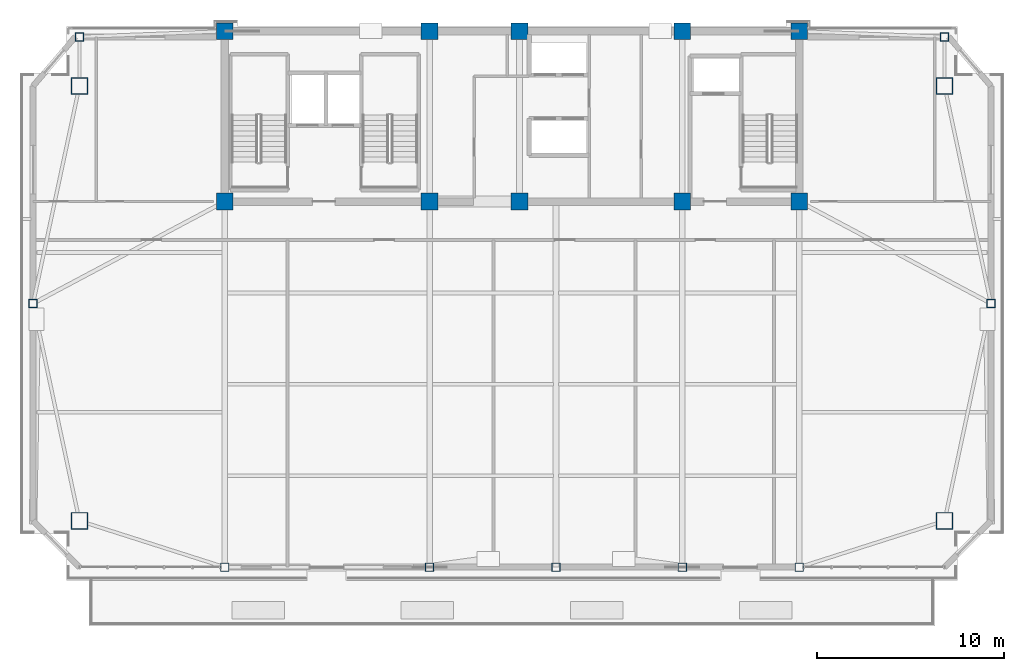
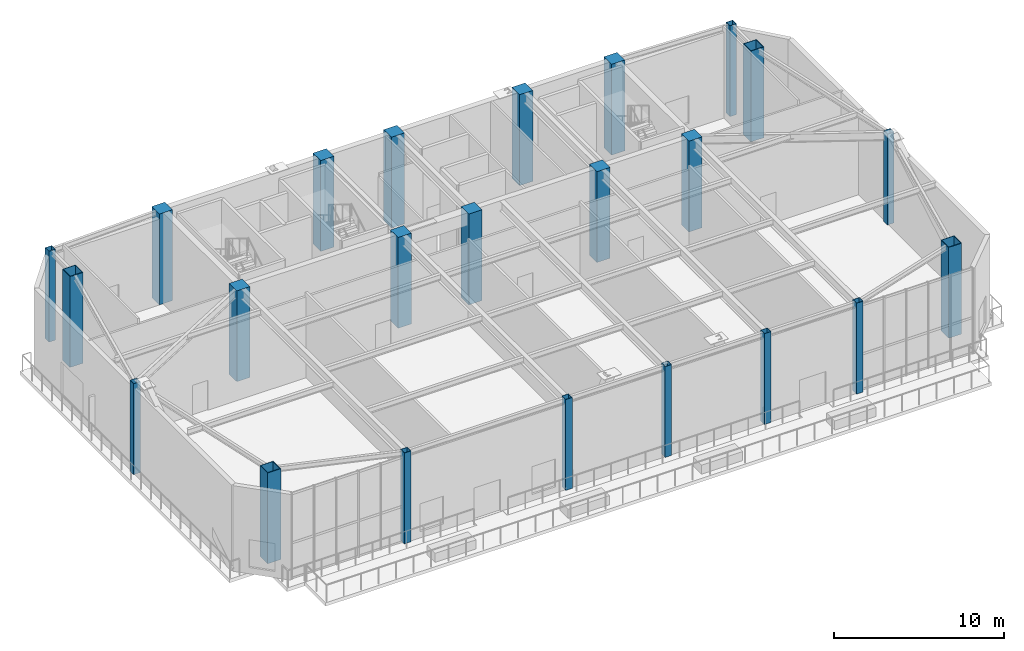
# One storey, part 1 of 15: 23 columns.
"""IFC4 building model written with IfcOpenShell, lengths in metres."""

from ifc_helpers import new_model, si_unit, direction, frame, origin, origin_2d, place, context, subcontext, project, spatial, rectangle, hollow_rectangle, extrude, source, transform, mapped, material, material_profile, profile_set, type_object, element, save


model = new_model("IFC4")

# Units and contexts
model_context = context("Model", 3, precision=1e-05, world=origin(), true_north=direction((0.0, 1.0)))
body_context = subcontext(model_context, "Body", "Model", "MODEL_VIEW")
ifc_project = project(units=[si_unit("LENGTHUNIT", "METRE"), si_unit("AREAUNIT", "SQUARE_METRE"), si_unit("VOLUMEUNIT", "CUBIC_METRE"), si_unit("PLANEANGLEUNIT", "RADIAN"), si_unit("MASSUNIT", "GRAM", prefix="KILO")], contexts=[model_context])

# Site, building, storey
site_placement = place(None, origin())
site = spatial("IfcSite", under=ifc_project, at=site_placement, CompositionType="ELEMENT")
building_placement = place(site_placement, origin())
building = spatial("IfcBuilding", under=site, at=building_placement, Name="Giltprow Tower", CompositionType="ELEMENT")
storey_placement = place(building_placement, frame((0.0, 0.0, 279.10009765625)))
storey = spatial("IfcBuildingStorey", under=building, at=storey_placement, Name="L72", CompositionType="ELEMENT", Elevation=279.10009765625)

# Columns
ifc_material_1 = material(Name="Concrete C45", Category="concrete")
ifc_material_profile_1 = material_profile(ifc_material_1, rectangle(XDim=0.89990234375, YDim=0.89990234375, at=origin_2d()), Name="RC 900x900")
ifc_profile_set_1 = profile_set([ifc_material_profile_1], Name="Concrete C45")
column_type_1 = type_object("IfcColumnType", Name="PIL-RC-900-C45", PredefinedType="PILASTER", material=ifc_profile_set_1)
shared_shape_1 = source(origin(), body_context, "Body", "SweptSolid", [
    extrude(rectangle(XDim=0.89990234375, YDim=0.89990234375, at=origin_2d()), origin(), (0.0, 0.0, 1.0), 6.52001953125),
])
for number, where, z_axis, x_axis, name in (
    (1, (19.85009765625, 37.449951171875, 0.0), (0.0, 0.0, 1.0), (1.0, 0.0, 0.0), "L72 Core Boundary Pilaster 1-1"),
    (2, (19.85009765625, 46.550048828125, 0.0), (0.0, 0.0, 1.0), (1.0, 0.0, 0.0), "L72 Core Boundary Pilaster 1-2"),
    (3, (30.800048828125, 37.449951171875, 0.0), (0.0, 0.0, 1.0), (1.0, 0.0, 0.0), "L72 Core Boundary Pilaster 2-1"),
    (4, (30.800048828125, 46.550048828125, 0.0), (0.0, 0.0, 1.0), (1.0, 0.0, 0.0), "L72 Core Boundary Pilaster 2-2"),
    (5, (35.60009765625, 37.449951171875, 0.0), (0.0, 0.0, 1.0), (1.0, 0.0, 0.0), "L72 Core Boundary Pilaster 3-1"),
    (6, (35.60009765625, 46.550048828125, 0.0), (0.0, 0.0, 1.0), (1.0, 0.0, 0.0), "L72 Core Boundary Pilaster 3-2"),
    (7, (44.300048828125, 37.449951171875, 0.0), (0.0, 0.0, 1.0), (1.0, 0.0, 0.0), "L72 Core Boundary Pilaster 4-1"),
    (8, (44.300048828125, 46.550048828125, 0.0), (0.0, 0.0, 1.0), (1.0, 0.0, 0.0), "L72 Core Boundary Pilaster 4-2"),
    (9, (50.550048828125, 37.449951171875, 0.0), (0.0, 0.0, 1.0), (1.0, 0.0, 0.0), "L72 Core Boundary Pilaster 5-1"),
    (10, (50.550048828125, 46.550048828125, 0.0), (0.0, 0.0, 1.0), (1.0, 0.0, 0.0), "L72 Core Boundary Pilaster 5-2"),
):
    element("IfcColumn", number, at=place(storey_placement, frame(where, z_axis=z_axis, x_axis=x_axis)), inside=storey, type_object=column_type_1, Name=name, PredefinedType="PILASTER", context=body_context, shape_type="MappedRepresentation", body=[
        mapped(shared_shape_1, transform((0.0, 0.0, 0.0), x_axis=(1.0, 0.0, 0.0), y_axis=(0.0, 1.0, 0.0), z_axis=(0.0, 0.0, 1.0), scale=1.0)),
    ])
ifc_material_2 = material(Name="Structural steel Q420GJC", Category="steel")
ifc_material_profile_2 = material_profile(ifc_material_2, hollow_rectangle(XDim=0.89990234375, YDim=0.89990234375, WallThickness=0.0400390625, at=origin_2d()), Name="BOX 900x900x40")
ifc_profile_set_2 = profile_set([ifc_material_profile_2], Name="Structural steel Q420GJC")
column_type_2 = type_object("IfcColumnType", Name="COL-BOX-900x900x40", PredefinedType="COLUMN", material=ifc_profile_set_2)
shared_shape_2 = source(origin(), body_context, "Body", "SweptSolid", [
    extrude(hollow_rectangle(XDim=0.89990234375, YDim=0.89990234375, WallThickness=0.0400390625, at=origin_2d()), origin(), (0.0, 0.0, 1.0), 6.52001953125),
])
for number, where, z_axis, x_axis, name in (
    (11, (12.0859375, 20.385009765625, 0.0), (0.0, 0.0, 1.0), (1.0, 0.0, 0.0), "L72 Mega-Column MC_SW"),
    (12, (58.31396484375, 20.385009765625, 0.0), (0.0, 0.0, 1.0), (1.0, 0.0, 0.0), "L72 Mega-Column MC_SE"),
    (13, (12.0859375, 43.6220703125, 0.0), (0.0, 0.0, 1.0), (1.0, 0.0, 0.0), "L72 Mega-Column MC_NW"),
    (14, (58.31396484375, 43.6220703125, 0.0), (0.0, 0.0, 1.0), (1.0, 0.0, 0.0), "L72 Mega-Column MC_NE"),
):
    element("IfcColumn", number, at=place(storey_placement, frame(where, z_axis=z_axis, x_axis=x_axis)), inside=storey, type_object=column_type_2, Name=name, PredefinedType="COLUMN", context=body_context, shape_type="MappedRepresentation", body=[
        mapped(shared_shape_2, transform((0.0, 0.0, 0.0), x_axis=(1.0, 0.0, 0.0), y_axis=(0.0, 1.0, 0.0), z_axis=(0.0, 0.0, 1.0), scale=1.0)),
    ])
ifc_material_3 = material(Name="Structural steel Q355B", Category="steel")
ifc_material_profile_3 = material_profile(ifc_material_3, hollow_rectangle(XDim=0.449951171875, YDim=0.449951171875, WallThickness=0.02197265625, at=origin_2d()), Name="BOX 450x450x22")
ifc_profile_set_3 = profile_set([ifc_material_profile_3], Name="Structural steel Q355B")
column_type_3 = type_object("IfcColumnType", Name="COL-BOX-450x450x22", PredefinedType="COLUMN", material=ifc_profile_set_3)
shared_shape_3 = source(origin(), body_context, "Body", "SweptSolid", [
    extrude(hollow_rectangle(XDim=0.449951171875, YDim=0.449951171875, WallThickness=0.02197265625, at=origin_2d()), origin(), (0.0, 0.0, 1.0), 6.52001953125),
])
for number, where, z_axis, x_axis, name in (
    (15, (19.85009765625, 17.907958984375, 0.0), (0.0, 0.0, 1.0), (1.0, 0.0, 0.0), "L72 Perimeter Column S1"),
    (16, (30.800048828125, 17.907958984375, 0.0), (0.0, 0.0, 1.0), (1.0, 0.0, 0.0), "L72 Perimeter Column S2"),
    (17, (37.550048828125, 17.907958984375, 0.0), (0.0, 0.0, 1.0), (1.0, 0.0, 0.0), "L72 Perimeter Column S_MID"),
    (18, (44.300048828125, 17.907958984375, 0.0), (0.0, 0.0, 1.0), (1.0, 0.0, 0.0), "L72 Perimeter Column S3"),
    (19, (50.550048828125, 17.907958984375, 0.0), (0.0, 0.0, 1.0), (1.0, 0.0, 0.0), "L72 Perimeter Column S4"),
    (20, (9.60888671875, 32.00390625, 0.0), (0.0, 0.0, 1.0), (1.0, 0.0, 0.0), "L72 Perimeter Column W_MID"),
    (21, (60.791015625, 32.00390625, 0.0), (0.0, 0.0, 1.0), (1.0, 0.0, 0.0), "L72 Perimeter Column E_MID"),
    (22, (12.0859375, 46.25, 0.0), (0.0, 0.0, 1.0), (1.0, 0.0, 0.0), "L72 Perimeter Column N_W"),
    (23, (58.31396484375, 46.25, 0.0), (0.0, 0.0, 1.0), (1.0, 0.0, 0.0), "L72 Perimeter Column N_E"),
):
    element("IfcColumn", number, at=place(storey_placement, frame(where, z_axis=z_axis, x_axis=x_axis)), inside=storey, type_object=column_type_3, Name=name, PredefinedType="COLUMN", context=body_context, shape_type="MappedRepresentation", body=[
        mapped(shared_shape_3, transform((0.0, 0.0, 0.0), x_axis=(1.0, 0.0, 0.0), y_axis=(0.0, 1.0, 0.0), z_axis=(0.0, 0.0, 1.0), scale=1.0)),
    ])

save(model, "model.ifc")
